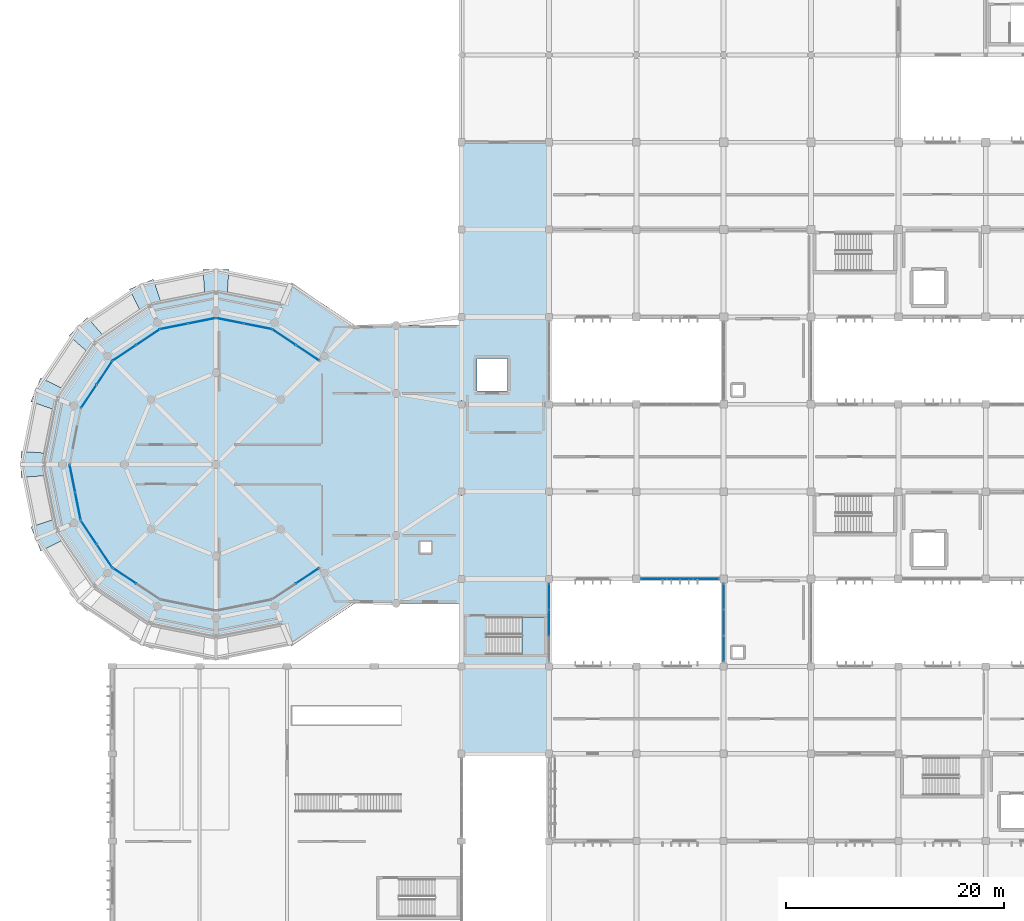
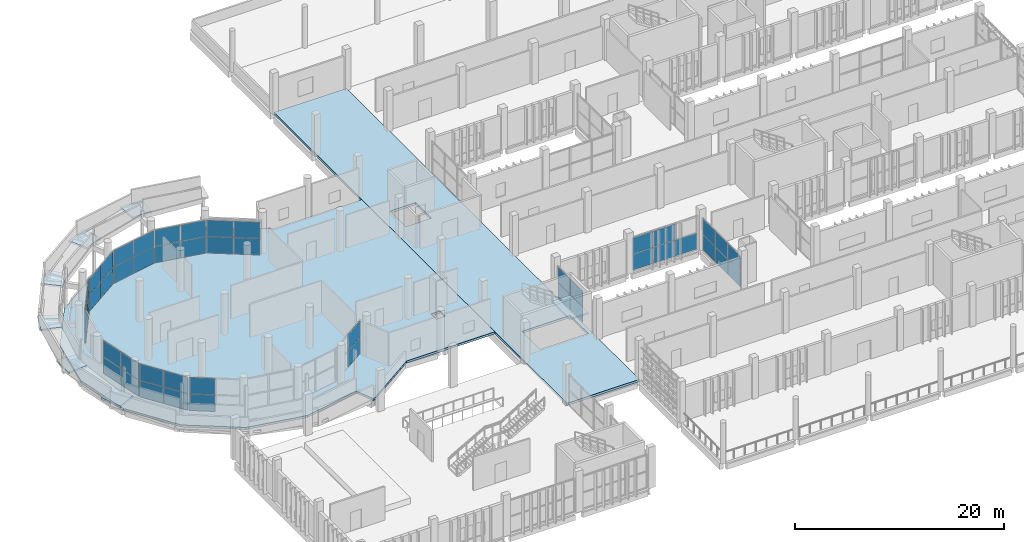
# One storey, part 70 of 106: 47 plates, 9 slabs, 14 elements without a shape of their own.
"""IFC4 building model written with IfcOpenShell, lengths in metres."""

from ifc_helpers import new_model, si_unit, direction, frame, origin, origin_2d, place, context, subcontext, project, spatial, polyline, rectangle, outline, extrude, material, layer, layer_set, type_object, element, aggregate, save


model = new_model("IFC4")

# Units and contexts
model_context = context("Model", 3, precision=1e-05, world=origin(), true_north=direction((0.0, 1.0)))
body_context = subcontext(model_context, "Body", "Model", "MODEL_VIEW")
ifc_project = project(units=[si_unit("LENGTHUNIT", "METRE"), si_unit("AREAUNIT", "SQUARE_METRE"), si_unit("VOLUMEUNIT", "CUBIC_METRE"), si_unit("PLANEANGLEUNIT", "RADIAN"), si_unit("MASSUNIT", "GRAM", prefix="KILO")], contexts=[model_context])

# Site, building, storey
site_placement = place(None, origin())
site = spatial("IfcSite", under=ifc_project, at=site_placement, CompositionType="ELEMENT")
building_placement = place(site_placement, origin())
building = spatial("IfcBuilding", under=site, at=building_placement, Name="Jelvoka-Kovrelna Polytechnic", CompositionType="ELEMENT")
storey_placement = place(building_placement, frame((0.0, 0.0, 4.800048828125)))
storey = spatial("IfcBuildingStorey", under=building, at=storey_placement, Name="L02", CompositionType="ELEMENT", Elevation=4.800048828125)

# Curtain wall, plates
ifc_material_1 = material(Name="Anodised aluminium 6063-T6", Category="aluminium")
ifc_layer_1 = layer(ifc_material_1, 0.159912109375)
ifc_layer_set_1 = layer_set([ifc_layer_1], Name="Anodised aluminium 6063-T6")
curtain_wall_type_1 = type_object("IfcCurtainWallType", Name="CW_Recessed_A", PredefinedType="NOTDEFINED", material=ifc_layer_set_1)
curtain_wall_1_placement = place(storey_placement, origin())
curtain_wall_1 = element("IfcCurtainWall", 1, at=curtain_wall_1_placement, inside=storey, type_object=curtain_wall_type_1, Name="L02 glazed curtain wall 015", PredefinedType="NOTDEFINED")
ifc_material_2 = material(Name="Solar-control double glazing", Category="glass")
ifc_layer_2 = layer(ifc_material_2, 0.028076171875)
ifc_layer_set_2 = layer_set([ifc_layer_2], Name="Solar-control double glazing")
plate_type_1 = type_object("IfcPlateType", Name="Panel_GP-01", PredefinedType="CURTAIN_PANEL", material=ifc_layer_set_2)
plate_1_placement = place(storey_placement, frame((70.385009765625, 32.0, 0.052001953125), z_axis=(0.0, 0.0, 1.0), x_axis=(-1.0, 0.0, 0.0)))
plate_1 = element("IfcPlate", 2, at=plate_1_placement, type_object=plate_type_1, Name="CW-01 panel 1.1", PredefinedType="CURTAIN_PANEL", context=body_context, shape_type="SweptSolid", body=[
    extrude(rectangle(XDim=2.326171875, YDim=0.028076171875, at=origin_2d()), origin(), (0.0, 0.0, 1.0), 1.881103515625),
])
plate_2_placement = place(storey_placement, frame((68.0, 32.0, 0.052001953125), z_axis=(0.0, 0.0, 1.0), x_axis=(-1.0, 0.0, 0.0)))
plate_2 = element("IfcPlate", 3, at=plate_2_placement, type_object=plate_type_1, Name="CW-01 panel 2.1", PredefinedType="CURTAIN_PANEL", context=body_context, shape_type="SweptSolid", body=[
    extrude(rectangle(XDim=2.356201171875, YDim=0.028076171875, at=origin_2d()), origin(), (0.0, 0.0, 1.0), 1.881103515625),
])
plate_3_placement = place(storey_placement, frame((68.0, 32.0, 1.976806640625), z_axis=(0.0, 0.0, 1.0), x_axis=(-1.0, 0.0, 0.0)))
plate_3 = element("IfcPlate", 4, at=plate_3_placement, type_object=plate_type_1, Name="CW-01 panel 2.2", PredefinedType="CURTAIN_PANEL", context=body_context, shape_type="SweptSolid", body=[
    extrude(rectangle(XDim=2.356201171875, YDim=0.028076171875, at=origin_2d()), origin(), (0.0, 0.0, 1.0), 1.881103515625),
])
plate_4_placement = place(storey_placement, frame((65.614990234375, 32.0, 0.052001953125), z_axis=(0.0, 0.0, 1.0), x_axis=(-1.0, 0.0, 0.0)))
plate_4 = element("IfcPlate", 5, at=plate_4_placement, type_object=plate_type_1, Name="CW-01 panel 3.1", PredefinedType="CURTAIN_PANEL", context=body_context, shape_type="SweptSolid", body=[
    extrude(rectangle(XDim=2.326171875, YDim=0.028076171875, at=origin_2d()), origin(), (0.0, 0.0, 1.0), 1.881103515625),
])
plate_5_placement = place(storey_placement, frame((65.614990234375, 32.0, 1.976806640625), z_axis=(0.0, 0.0, 1.0), x_axis=(-1.0, 0.0, 0.0)))
plate_5 = element("IfcPlate", 6, at=plate_5_placement, type_object=plate_type_1, Name="CW-01 panel 3.2", PredefinedType="CURTAIN_PANEL", context=body_context, shape_type="SweptSolid", body=[
    extrude(rectangle(XDim=2.326171875, YDim=0.028076171875, at=origin_2d()), origin(), (0.0, 0.0, 1.0), 1.881103515625),
])
aggregate(curtain_wall_1, [plate_1, plate_2, plate_3, plate_4, plate_5])

ifc_material_3 = material(Name="Anodised aluminium 6063-T6", Category="aluminium")
ifc_layer_3 = layer(ifc_material_3, 0.159912109375)
ifc_layer_set_3 = layer_set([ifc_layer_3], Name="Anodised aluminium 6063-T6")
curtain_wall_type_2 = type_object("IfcCurtainWallType", Name="CW_LinkBridge", PredefinedType="NOTDEFINED", material=ifc_layer_set_3)
curtain_wall_2_placement = place(storey_placement, origin())
curtain_wall_2 = element("IfcCurtainWall", 7, at=curtain_wall_2_placement, inside=storey, type_object=curtain_wall_type_2, Name="L02 glazed curtain wall 114", PredefinedType="NOTDEFINED")
ifc_material_4 = material(Name="Solar-control double glazing", Category="glass")
ifc_layer_4 = layer(ifc_material_4, 0.02392578125)
ifc_layer_set_4 = layer_set([ifc_layer_4], Name="Solar-control double glazing")
plate_type_2 = type_object("IfcPlateType", Name="Panel_GP-04", PredefinedType="CURTAIN_PANEL", material=ifc_layer_set_4)
plate_6_placement = place(storey_placement, frame((72.0, 25.614990234375, 0.0517578125), z_axis=(0.0, 0.0, 1.0), x_axis=(0.0, 1.0, 0.0)))
plate_6 = element("IfcPlate", 8, at=plate_6_placement, type_object=plate_type_2, Name="CW-04 panel 1.1", PredefinedType="CURTAIN_PANEL", context=body_context, shape_type="SweptSolid", body=[
    extrude(rectangle(XDim=2.326171875, YDim=0.02392578125, at=origin_2d()), origin(), (0.0, 0.0, 1.0), 1.80615234375),
])
plate_7_placement = place(storey_placement, frame((72.0, 25.614990234375, 1.90185546875), z_axis=(0.0, 0.0, 1.0), x_axis=(0.0, 1.0, 0.0)))
plate_7 = element("IfcPlate", 9, at=plate_7_placement, type_object=plate_type_2, Name="CW-04 panel 1.2", PredefinedType="CURTAIN_PANEL", context=body_context, shape_type="SweptSolid", body=[
    extrude(rectangle(XDim=2.326171875, YDim=0.02392578125, at=origin_2d()), origin(), (0.0, 0.0, 1.0), 1.80615234375),
])
plate_8_placement = place(storey_placement, frame((72.0, 28.0, 0.0517578125), z_axis=(0.0, 0.0, 1.0), x_axis=(0.0, 1.0, 0.0)))
plate_8 = element("IfcPlate", 10, at=plate_8_placement, type_object=plate_type_2, Name="CW-04 panel 2.1", PredefinedType="CURTAIN_PANEL", context=body_context, shape_type="SweptSolid", body=[
    extrude(rectangle(XDim=2.356201171875, YDim=0.02392578125, at=origin_2d()), origin(), (0.0, 0.0, 1.0), 1.80615234375),
])
plate_9_placement = place(storey_placement, frame((72.0, 28.0, 1.90185546875), z_axis=(0.0, 0.0, 1.0), x_axis=(0.0, 1.0, 0.0)))
plate_9 = element("IfcPlate", 11, at=plate_9_placement, type_object=plate_type_2, Name="CW-04 panel 2.2", PredefinedType="CURTAIN_PANEL", context=body_context, shape_type="SweptSolid", body=[
    extrude(rectangle(XDim=2.356201171875, YDim=0.02392578125, at=origin_2d()), origin(), (0.0, 0.0, 1.0), 1.80615234375),
])
plate_10_placement = place(storey_placement, frame((72.0, 30.385009765625, 0.0517578125), z_axis=(0.0, 0.0, 1.0), x_axis=(0.0, 1.0, 0.0)))
plate_10 = element("IfcPlate", 12, at=plate_10_placement, type_object=plate_type_2, Name="CW-04 panel 3.1", PredefinedType="CURTAIN_PANEL", context=body_context, shape_type="SweptSolid", body=[
    extrude(rectangle(XDim=2.326171875, YDim=0.02392578125, at=origin_2d()), origin(), (0.0, 0.0, 1.0), 1.80615234375),
])
plate_11_placement = place(storey_placement, frame((72.0, 30.385009765625, 1.90185546875), z_axis=(0.0, 0.0, 1.0), x_axis=(0.0, 1.0, 0.0)))
plate_11 = element("IfcPlate", 13, at=plate_11_placement, type_object=plate_type_2, Name="CW-04 panel 3.2", PredefinedType="CURTAIN_PANEL", context=body_context, shape_type="SweptSolid", body=[
    extrude(rectangle(XDim=2.326171875, YDim=0.02392578125, at=origin_2d()), origin(), (0.0, 0.0, 1.0), 1.80615234375),
])
aggregate(curtain_wall_2, [plate_6, plate_7, plate_8, plate_9, plate_10, plate_11])

ifc_material_5 = material(Name="Anodised aluminium 6063-T6", Category="aluminium")
ifc_layer_5 = layer(ifc_material_5, 0.179931640625)
ifc_layer_set_5 = layer_set([ifc_layer_5], Name="Anodised aluminium 6063-T6")
curtain_wall_type_3 = type_object("IfcCurtainWallType", Name="CW_Pavilion", PredefinedType="NOTDEFINED", material=ifc_layer_set_5)
curtain_wall_3_placement = place(storey_placement, origin())
curtain_wall_3 = element("IfcCurtainWall", 14, at=curtain_wall_3_placement, inside=storey, type_object=curtain_wall_type_3, Name="L02 glazed curtain wall 118", PredefinedType="NOTDEFINED")
ifc_material_6 = material(Name="Solar-control double glazing", Category="glass")
ifc_layer_6 = layer(ifc_material_6, 0.030029296875)
ifc_layer_set_6 = layer_set([ifc_layer_6], Name="Solar-control double glazing")
plate_type_3 = type_object("IfcPlateType", Name="Panel_GP-05", PredefinedType="CURTAIN_PANEL", material=ifc_layer_set_6)
plate_12_placement = place(storey_placement, frame((56.0, 30.3837890625, 0.056884765625), z_axis=(0.0, 0.0, 1.0), x_axis=(0.0, -1.0, 0.0)))
plate_12 = element("IfcPlate", 15, at=plate_12_placement, type_object=plate_type_3, Name="CW-05 panel 1.1", PredefinedType="CURTAIN_PANEL", context=body_context, shape_type="SweptSolid", body=[
    extrude(rectangle(XDim=2.318603515625, YDim=0.030029296875, at=origin_2d()), origin(), (0.0, 0.0, 1.0), 1.798583984375),
])
plate_13_placement = place(storey_placement, frame((56.0, 30.3837890625, 1.904541015625), z_axis=(0.0, 0.0, 1.0), x_axis=(0.0, -1.0, 0.0)))
plate_13 = element("IfcPlate", 16, at=plate_13_placement, type_object=plate_type_3, Name="CW-05 panel 1.2", PredefinedType="CURTAIN_PANEL", context=body_context, shape_type="SweptSolid", body=[
    extrude(rectangle(XDim=2.318603515625, YDim=0.030029296875, at=origin_2d()), origin(), (0.0, 0.0, 1.0), 1.798583984375),
])
plate_14_placement = place(storey_placement, frame((56.0, 28.0, 0.056884765625), z_axis=(0.0, 0.0, 1.0), x_axis=(0.0, -1.0, 0.0)))
plate_14 = element("IfcPlate", 17, at=plate_14_placement, type_object=plate_type_3, Name="CW-05 panel 2.1", PredefinedType="CURTAIN_PANEL", context=body_context, shape_type="SweptSolid", body=[
    extrude(rectangle(XDim=2.35107421875, YDim=0.030029296875, at=origin_2d()), origin(), (0.0, 0.0, 1.0), 1.798583984375),
])
plate_15_placement = place(storey_placement, frame((56.0, 28.0, 1.904541015625), z_axis=(0.0, 0.0, 1.0), x_axis=(0.0, -1.0, 0.0)))
plate_15 = element("IfcPlate", 18, at=plate_15_placement, type_object=plate_type_3, Name="CW-05 panel 2.2", PredefinedType="CURTAIN_PANEL", context=body_context, shape_type="SweptSolid", body=[
    extrude(rectangle(XDim=2.35107421875, YDim=0.030029296875, at=origin_2d()), origin(), (0.0, 0.0, 1.0), 1.798583984375),
])
aggregate(curtain_wall_3, [plate_12, plate_13, plate_14, plate_15])

curtain_wall_4_placement = place(storey_placement, origin())
curtain_wall_4 = element("IfcCurtainWall", 19, at=curtain_wall_4_placement, inside=storey, type_object=curtain_wall_type_3, Name="L02 glazed curtain wall 222", PredefinedType="NOTDEFINED")
plate_16_placement = place(storey_placement, frame((31.728271484375, 54.144775390625, 0.056884765625), z_axis=(0.0, 0.0, 1.0), x_axis=(0.83146132254, -0.555582639326, 0.0)))
plate_16 = element("IfcPlate", 20, at=plate_16_placement, type_object=plate_type_3, Name="CW-05 panel 1.1", PredefinedType="CURTAIN_PANEL", context=body_context, shape_type="SweptSolid", body=[
    extrude(rectangle(XDim=2.53271484375, YDim=0.030029296875, at=origin_2d()), origin(), (0.0, 0.0, 1.0), 1.8935546875),
])
plate_17_placement = place(storey_placement, frame((31.728271484375, 54.144775390625, 1.99951171875), z_axis=(0.0, 0.0, 1.0), x_axis=(0.83146132254, -0.555582639326, 0.0)))
plate_17 = element("IfcPlate", 21, at=plate_17_placement, type_object=plate_type_3, Name="CW-05 panel 1.2", PredefinedType="CURTAIN_PANEL", context=body_context, shape_type="SweptSolid", body=[
    extrude(rectangle(XDim=2.53271484375, YDim=0.030029296875, at=origin_2d()), origin(), (0.0, 0.0, 1.0), 1.8935546875),
])
plate_18_placement = place(storey_placement, frame((33.875, 52.71044921875, 0.056884765625), z_axis=(0.0, 0.0, 1.0), x_axis=(0.83146132254, -0.555582639326, 0.0)))
plate_18 = element("IfcPlate", 22, at=plate_18_placement, type_object=plate_type_3, Name="CW-05 panel 2.1", PredefinedType="CURTAIN_PANEL", context=body_context, shape_type="SweptSolid", body=[
    extrude(rectangle(XDim=2.53271484375, YDim=0.030029296875, at=origin_2d()), origin(), (0.0, 0.0, 1.0), 1.8935546875),
])
plate_19_placement = place(storey_placement, frame((33.875, 52.71044921875, 1.99951171875), z_axis=(0.0, 0.0, 1.0), x_axis=(0.83146132254, -0.555582639326, 0.0)))
plate_19 = element("IfcPlate", 23, at=plate_19_placement, type_object=plate_type_3, Name="CW-05 panel 2.2", PredefinedType="CURTAIN_PANEL", context=body_context, shape_type="SweptSolid", body=[
    extrude(rectangle(XDim=2.53271484375, YDim=0.030029296875, at=origin_2d()), origin(), (0.0, 0.0, 1.0), 1.8935546875),
])
aggregate(curtain_wall_4, [plate_16, plate_17, plate_18, plate_19])

curtain_wall_5_placement = place(storey_placement, origin())
curtain_wall_5 = element("IfcCurtainWall", 24, at=curtain_wall_5_placement, inside=storey, type_object=curtain_wall_type_3, Name="L02 glazed curtain wall 223", PredefinedType="NOTDEFINED")
plate_20_placement = place(storey_placement, frame((26.7978515625, 55.641845703125, 0.056884765625), z_axis=(0.0, 0.0, 1.0), x_axis=(0.980786108197, -0.195086160371, 0.0)))
plate_20 = element("IfcPlate", 25, at=plate_20_placement, type_object=plate_type_3, Name="CW-05 panel 1.1", PredefinedType="CURTAIN_PANEL", context=body_context, shape_type="SweptSolid", body=[
    extrude(rectangle(XDim=2.532958984375, YDim=0.030029296875, at=origin_2d()), origin(), (0.0, 0.0, 1.0), 1.8935546875),
])
plate_21_placement = place(storey_placement, frame((26.7978515625, 55.641845703125, 1.99951171875), z_axis=(0.0, 0.0, 1.0), x_axis=(0.980786108197, -0.195086160371, 0.0)))
plate_21 = element("IfcPlate", 26, at=plate_21_placement, type_object=plate_type_3, Name="CW-05 panel 1.2", PredefinedType="CURTAIN_PANEL", context=body_context, shape_type="SweptSolid", body=[
    extrude(rectangle(XDim=2.532958984375, YDim=0.030029296875, at=origin_2d()), origin(), (0.0, 0.0, 1.0), 1.8935546875),
])
plate_22_placement = place(storey_placement, frame((29.330078125, 55.13818359375, 0.056884765625), z_axis=(0.0, 0.0, 1.0), x_axis=(0.980786108197, -0.195086160371, 0.0)))
plate_22 = element("IfcPlate", 27, at=plate_22_placement, type_object=plate_type_3, Name="CW-05 panel 2.1", PredefinedType="CURTAIN_PANEL", context=body_context, shape_type="SweptSolid", body=[
    extrude(rectangle(XDim=2.532958984375, YDim=0.030029296875, at=origin_2d()), origin(), (0.0, 0.0, 1.0), 1.8935546875),
])
plate_23_placement = place(storey_placement, frame((29.330078125, 55.13818359375, 1.99951171875), z_axis=(0.0, 0.0, 1.0), x_axis=(0.980786108197, -0.195086160371, 0.0)))
plate_23 = element("IfcPlate", 28, at=plate_23_placement, type_object=plate_type_3, Name="CW-05 panel 2.2", PredefinedType="CURTAIN_PANEL", context=body_context, shape_type="SweptSolid", body=[
    extrude(rectangle(XDim=2.532958984375, YDim=0.030029296875, at=origin_2d()), origin(), (0.0, 0.0, 1.0), 1.8935546875),
])
aggregate(curtain_wall_5, [plate_20, plate_21, plate_22, plate_23])

curtain_wall_6_placement = place(storey_placement, origin())
curtain_wall_6 = element("IfcCurtainWall", 29, at=curtain_wall_6_placement, inside=storey, type_object=curtain_wall_type_3, Name="L02 glazed curtain wall 224", PredefinedType="NOTDEFINED")
plate_24_placement = place(storey_placement, frame((21.669921875, 55.13818359375, 0.056884765625), z_axis=(0.0, 0.0, 1.0), x_axis=(0.980786108197, 0.195086160371, 0.0)))
plate_24 = element("IfcPlate", 30, at=plate_24_placement, type_object=plate_type_3, Name="CW-05 panel 1.1", PredefinedType="CURTAIN_PANEL", context=body_context, shape_type="SweptSolid", body=[
    extrude(rectangle(XDim=2.532958984375, YDim=0.030029296875, at=origin_2d()), origin(), (0.0, 0.0, 1.0), 1.8935546875),
])
plate_25_placement = place(storey_placement, frame((21.669921875, 55.13818359375, 1.99951171875), z_axis=(0.0, 0.0, 1.0), x_axis=(0.980786108197, 0.195086160371, 0.0)))
plate_25 = element("IfcPlate", 31, at=plate_25_placement, type_object=plate_type_3, Name="CW-05 panel 1.2", PredefinedType="CURTAIN_PANEL", context=body_context, shape_type="SweptSolid", body=[
    extrude(rectangle(XDim=2.532958984375, YDim=0.030029296875, at=origin_2d()), origin(), (0.0, 0.0, 1.0), 1.8935546875),
])
plate_26_placement = place(storey_placement, frame((24.2021484375, 55.641845703125, 0.056884765625), z_axis=(0.0, 0.0, 1.0), x_axis=(0.980786108197, 0.195086160371, 0.0)))
plate_26 = element("IfcPlate", 32, at=plate_26_placement, type_object=plate_type_3, Name="CW-05 panel 2.1", PredefinedType="CURTAIN_PANEL", context=body_context, shape_type="SweptSolid", body=[
    extrude(rectangle(XDim=2.532958984375, YDim=0.030029296875, at=origin_2d()), origin(), (0.0, 0.0, 1.0), 1.8935546875),
])
plate_27_placement = place(storey_placement, frame((24.2021484375, 55.641845703125, 1.99951171875), z_axis=(0.0, 0.0, 1.0), x_axis=(0.980786108197, 0.195086160371, 0.0)))
plate_27 = element("IfcPlate", 33, at=plate_27_placement, type_object=plate_type_3, Name="CW-05 panel 2.2", PredefinedType="CURTAIN_PANEL", context=body_context, shape_type="SweptSolid", body=[
    extrude(rectangle(XDim=2.532958984375, YDim=0.030029296875, at=origin_2d()), origin(), (0.0, 0.0, 1.0), 1.8935546875),
])
aggregate(curtain_wall_6, [plate_24, plate_25, plate_26, plate_27])

curtain_wall_7_placement = place(storey_placement, origin())
curtain_wall_7 = element("IfcCurtainWall", 34, at=curtain_wall_7_placement, inside=storey, type_object=curtain_wall_type_3, Name="L02 glazed curtain wall 225", PredefinedType="NOTDEFINED")
plate_28_placement = place(storey_placement, frame((17.125, 52.71044921875, 0.056884765625), z_axis=(0.0, 0.0, 1.0), x_axis=(0.83146132254, 0.555582639326, 0.0)))
plate_28 = element("IfcPlate", 35, at=plate_28_placement, type_object=plate_type_3, Name="CW-05 panel 1.1", PredefinedType="CURTAIN_PANEL", context=body_context, shape_type="SweptSolid", body=[
    extrude(rectangle(XDim=2.53271484375, YDim=0.030029296875, at=origin_2d()), origin(), (0.0, 0.0, 1.0), 1.8935546875),
])
plate_29_placement = place(storey_placement, frame((17.125, 52.71044921875, 1.99951171875), z_axis=(0.0, 0.0, 1.0), x_axis=(0.83146132254, 0.555582639326, 0.0)))
plate_29 = element("IfcPlate", 36, at=plate_29_placement, type_object=plate_type_3, Name="CW-05 panel 1.2", PredefinedType="CURTAIN_PANEL", context=body_context, shape_type="SweptSolid", body=[
    extrude(rectangle(XDim=2.53271484375, YDim=0.030029296875, at=origin_2d()), origin(), (0.0, 0.0, 1.0), 1.8935546875),
])
plate_30_placement = place(storey_placement, frame((19.271728515625, 54.144775390625, 0.056884765625), z_axis=(0.0, 0.0, 1.0), x_axis=(0.83146132254, 0.555582639326, 0.0)))
plate_30 = element("IfcPlate", 37, at=plate_30_placement, type_object=plate_type_3, Name="CW-05 panel 2.1", PredefinedType="CURTAIN_PANEL", context=body_context, shape_type="SweptSolid", body=[
    extrude(rectangle(XDim=2.53271484375, YDim=0.030029296875, at=origin_2d()), origin(), (0.0, 0.0, 1.0), 1.8935546875),
])
plate_31_placement = place(storey_placement, frame((19.271728515625, 54.144775390625, 1.99951171875), z_axis=(0.0, 0.0, 1.0), x_axis=(0.83146132254, 0.555582639326, 0.0)))
plate_31 = element("IfcPlate", 38, at=plate_31_placement, type_object=plate_type_3, Name="CW-05 panel 2.2", PredefinedType="CURTAIN_PANEL", context=body_context, shape_type="SweptSolid", body=[
    extrude(rectangle(XDim=2.53271484375, YDim=0.030029296875, at=origin_2d()), origin(), (0.0, 0.0, 1.0), 1.8935546875),
])
aggregate(curtain_wall_7, [plate_28, plate_29, plate_30, plate_31])

curtain_wall_8_placement = place(storey_placement, origin())
curtain_wall_8 = element("IfcCurtainWall", 39, at=curtain_wall_8_placement, inside=storey, type_object=curtain_wall_type_3, Name="L02 glazed curtain wall 226", PredefinedType="NOTDEFINED")
plate_32_placement = place(storey_placement, frame((13.855224609375, 48.728271484375, 0.056884765625), z_axis=(0.0, 0.0, 1.0), x_axis=(0.555582639326, 0.83146132254, 0.0)))
plate_32 = element("IfcPlate", 40, at=plate_32_placement, type_object=plate_type_3, Name="CW-05 panel 1.1", PredefinedType="CURTAIN_PANEL", context=body_context, shape_type="SweptSolid", body=[
    extrude(rectangle(XDim=2.53271484375, YDim=0.030029296875, at=origin_2d()), origin(), (0.0, 0.0, 1.0), 1.8935546875),
])
plate_33_placement = place(storey_placement, frame((13.855224609375, 48.728271484375, 1.99951171875), z_axis=(0.0, 0.0, 1.0), x_axis=(0.555582639326, 0.83146132254, 0.0)))
plate_33 = element("IfcPlate", 41, at=plate_33_placement, type_object=plate_type_3, Name="CW-05 panel 1.2", PredefinedType="CURTAIN_PANEL", context=body_context, shape_type="SweptSolid", body=[
    extrude(rectangle(XDim=2.53271484375, YDim=0.030029296875, at=origin_2d()), origin(), (0.0, 0.0, 1.0), 1.8935546875),
])
plate_34_placement = place(storey_placement, frame((15.28955078125, 50.875, 0.056884765625), z_axis=(0.0, 0.0, 1.0), x_axis=(0.555582639326, 0.83146132254, 0.0)))
plate_34 = element("IfcPlate", 42, at=plate_34_placement, type_object=plate_type_3, Name="CW-05 panel 2.1", PredefinedType="CURTAIN_PANEL", context=body_context, shape_type="SweptSolid", body=[
    extrude(rectangle(XDim=2.53271484375, YDim=0.030029296875, at=origin_2d()), origin(), (0.0, 0.0, 1.0), 1.8935546875),
])
plate_35_placement = place(storey_placement, frame((15.28955078125, 50.875, 1.99951171875), z_axis=(0.0, 0.0, 1.0), x_axis=(0.555582639326, 0.83146132254, 0.0)))
plate_35 = element("IfcPlate", 43, at=plate_35_placement, type_object=plate_type_3, Name="CW-05 panel 2.2", PredefinedType="CURTAIN_PANEL", context=body_context, shape_type="SweptSolid", body=[
    extrude(rectangle(XDim=2.53271484375, YDim=0.030029296875, at=origin_2d()), origin(), (0.0, 0.0, 1.0), 1.8935546875),
])
aggregate(curtain_wall_8, [plate_32, plate_33, plate_34, plate_35])

curtain_wall_9_placement = place(storey_placement, origin())
curtain_wall_9 = element("IfcCurtainWall", 44, at=curtain_wall_9_placement, inside=storey, type_object=curtain_wall_type_3, Name="L02 glazed curtain wall 227", PredefinedType="NOTDEFINED")
plate_36_placement = place(storey_placement, frame((12.86181640625, 38.669921875, 0.056884765625), z_axis=(0.0, 0.0, 1.0), x_axis=(-0.195086160371, 0.980786108197, 0.0)))
plate_36 = element("IfcPlate", 45, at=plate_36_placement, type_object=plate_type_3, Name="CW-05 panel 1.1", PredefinedType="CURTAIN_PANEL", context=body_context, shape_type="SweptSolid", body=[
    extrude(rectangle(XDim=2.532958984375, YDim=0.030029296875, at=origin_2d()), origin(), (0.0, 0.0, 1.0), 1.8935546875),
])
plate_37_placement = place(storey_placement, frame((12.86181640625, 38.669921875, 1.99951171875), z_axis=(0.0, 0.0, 1.0), x_axis=(-0.195086160371, 0.980786108197, 0.0)))
plate_37 = element("IfcPlate", 46, at=plate_37_placement, type_object=plate_type_3, Name="CW-05 panel 1.2", PredefinedType="CURTAIN_PANEL", context=body_context, shape_type="SweptSolid", body=[
    extrude(rectangle(XDim=2.532958984375, YDim=0.030029296875, at=origin_2d()), origin(), (0.0, 0.0, 1.0), 1.8935546875),
])
plate_38_placement = place(storey_placement, frame((12.358154296875, 41.2021484375, 0.056884765625), z_axis=(0.0, 0.0, 1.0), x_axis=(-0.195086160371, 0.980786108197, 0.0)))
plate_38 = element("IfcPlate", 47, at=plate_38_placement, type_object=plate_type_3, Name="CW-05 panel 2.1", PredefinedType="CURTAIN_PANEL", context=body_context, shape_type="SweptSolid", body=[
    extrude(rectangle(XDim=2.532958984375, YDim=0.030029296875, at=origin_2d()), origin(), (0.0, 0.0, 1.0), 1.8935546875),
])
plate_39_placement = place(storey_placement, frame((12.358154296875, 41.2021484375, 1.99951171875), z_axis=(0.0, 0.0, 1.0), x_axis=(-0.195086160371, 0.980786108197, 0.0)))
plate_39 = element("IfcPlate", 48, at=plate_39_placement, type_object=plate_type_3, Name="CW-05 panel 2.2", PredefinedType="CURTAIN_PANEL", context=body_context, shape_type="SweptSolid", body=[
    extrude(rectangle(XDim=2.532958984375, YDim=0.030029296875, at=origin_2d()), origin(), (0.0, 0.0, 1.0), 1.8935546875),
])
aggregate(curtain_wall_9, [plate_36, plate_37, plate_38, plate_39])

curtain_wall_10_placement = place(storey_placement, origin())
curtain_wall_10 = element("IfcCurtainWall", 49, at=curtain_wall_10_placement, inside=storey, type_object=curtain_wall_type_3, Name="L02 glazed curtain wall 228", PredefinedType="NOTDEFINED")
plate_40_placement = place(storey_placement, frame((15.28955078125, 34.125, 0.056884765625), z_axis=(0.0, 0.0, 1.0), x_axis=(-0.555582639326, 0.83146132254, 0.0)))
plate_40 = element("IfcPlate", 50, at=plate_40_placement, type_object=plate_type_3, Name="CW-05 panel 1.1", PredefinedType="CURTAIN_PANEL", context=body_context, shape_type="SweptSolid", body=[
    extrude(rectangle(XDim=2.53271484375, YDim=0.030029296875, at=origin_2d()), origin(), (0.0, 0.0, 1.0), 1.8935546875),
])
plate_41_placement = place(storey_placement, frame((15.28955078125, 34.125, 1.99951171875), z_axis=(0.0, 0.0, 1.0), x_axis=(-0.555582639326, 0.83146132254, 0.0)))
plate_41 = element("IfcPlate", 51, at=plate_41_placement, type_object=plate_type_3, Name="CW-05 panel 1.2", PredefinedType="CURTAIN_PANEL", context=body_context, shape_type="SweptSolid", body=[
    extrude(rectangle(XDim=2.53271484375, YDim=0.030029296875, at=origin_2d()), origin(), (0.0, 0.0, 1.0), 1.8935546875),
])
plate_42_placement = place(storey_placement, frame((13.855224609375, 36.271728515625, 0.056884765625), z_axis=(0.0, 0.0, 1.0), x_axis=(-0.555582639326, 0.83146132254, 0.0)))
plate_42 = element("IfcPlate", 52, at=plate_42_placement, type_object=plate_type_3, Name="CW-05 panel 2.1", PredefinedType="CURTAIN_PANEL", context=body_context, shape_type="SweptSolid", body=[
    extrude(rectangle(XDim=2.53271484375, YDim=0.030029296875, at=origin_2d()), origin(), (0.0, 0.0, 1.0), 1.8935546875),
])
plate_43_placement = place(storey_placement, frame((13.855224609375, 36.271728515625, 1.99951171875), z_axis=(0.0, 0.0, 1.0), x_axis=(-0.555582639326, 0.83146132254, 0.0)))
plate_43 = element("IfcPlate", 53, at=plate_43_placement, type_object=plate_type_3, Name="CW-05 panel 2.2", PredefinedType="CURTAIN_PANEL", context=body_context, shape_type="SweptSolid", body=[
    extrude(rectangle(XDim=2.53271484375, YDim=0.030029296875, at=origin_2d()), origin(), (0.0, 0.0, 1.0), 1.8935546875),
])
aggregate(curtain_wall_10, [plate_40, plate_41, plate_42, plate_43])

curtain_wall_11_placement = place(storey_placement, origin())
curtain_wall_11 = element("IfcCurtainWall", 54, at=curtain_wall_11_placement, inside=storey, type_object=curtain_wall_type_3, Name="L02 glazed curtain wall 229", PredefinedType="NOTDEFINED")
plate_44_placement = place(storey_placement, frame((17.125, 32.28955078125, 0.056884765625), z_axis=(0.0, 0.0, 1.0), x_axis=(-0.83146132254, 0.555582639326, 0.0)))
plate_44 = element("IfcPlate", 55, at=plate_44_placement, type_object=plate_type_3, Name="CW-05 panel 2.1", PredefinedType="CURTAIN_PANEL", context=body_context, shape_type="SweptSolid", body=[
    extrude(rectangle(XDim=2.53271484375, YDim=0.030029296875, at=origin_2d()), origin(), (0.0, 0.0, 1.0), 1.8935546875),
])
plate_45_placement = place(storey_placement, frame((17.125, 32.28955078125, 1.99951171875), z_axis=(0.0, 0.0, 1.0), x_axis=(-0.83146132254, 0.555582639326, 0.0)))
plate_45 = element("IfcPlate", 56, at=plate_45_placement, type_object=plate_type_3, Name="CW-05 panel 2.2", PredefinedType="CURTAIN_PANEL", context=body_context, shape_type="SweptSolid", body=[
    extrude(rectangle(XDim=2.53271484375, YDim=0.030029296875, at=origin_2d()), origin(), (0.0, 0.0, 1.0), 1.8935546875),
])
aggregate(curtain_wall_11, [plate_44, plate_45])

curtain_wall_12_placement = place(storey_placement, origin())
curtain_wall_12 = element("IfcCurtainWall", 57, at=curtain_wall_12_placement, inside=storey, type_object=curtain_wall_type_3, Name="L02 glazed curtain wall 232", PredefinedType="NOTDEFINED")
plate_46_placement = place(storey_placement, frame((33.875, 32.28955078125, 0.056884765625), z_axis=(0.0, 0.0, 1.0), x_axis=(-0.83146132254, -0.555582639326, 0.0)))
plate_46 = element("IfcPlate", 58, at=plate_46_placement, type_object=plate_type_3, Name="CW-05 panel 1.1", PredefinedType="CURTAIN_PANEL", context=body_context, shape_type="SweptSolid", body=[
    extrude(rectangle(XDim=2.53271484375, YDim=0.030029296875, at=origin_2d()), origin(), (0.0, 0.0, 1.0), 1.8935546875),
])
plate_47_placement = place(storey_placement, frame((33.875, 32.28955078125, 1.99951171875), z_axis=(0.0, 0.0, 1.0), x_axis=(-0.83146132254, -0.555582639326, 0.0)))
plate_47 = element("IfcPlate", 59, at=plate_47_placement, type_object=plate_type_3, Name="CW-05 panel 1.2", PredefinedType="CURTAIN_PANEL", context=body_context, shape_type="SweptSolid", body=[
    extrude(rectangle(XDim=2.53271484375, YDim=0.030029296875, at=origin_2d()), origin(), (0.0, 0.0, 1.0), 1.8935546875),
])
aggregate(curtain_wall_12, [plate_46, plate_47])

# Slabs
ifc_material_7 = material(Name="Concrete C35/45", Category="concrete")
ifc_layer_7 = layer(ifc_material_7, 0.25)
ifc_layer_set_7 = layer_set([ifc_layer_7], Name="Concrete C35/45")
slab_type_1 = type_object("IfcSlabType", Name="Slab_Floor_250", PredefinedType="FLOOR", material=ifc_layer_set_7)
slab_1_placement = place(storey_placement, frame((0.0, 0.0, -0.25)))
element("IfcSlab", 60, at=slab_1_placement, inside=storey, type_object=slab_type_1, Name="L02 rotunda gallery slab", PredefinedType="FLOOR", context=body_context, shape_type="SweptSolid", body=[
    extrude(outline(polyline([(48.0, 29.772216796875), (48.0, 55.227783203125), (38.227783203125, 55.227783203125), (32.38818359375, 59.1298828125), (31.5654296875, 57.1435546875), (25.5, 58.35009765625), (19.4345703125, 57.1435546875), (14.29248046875, 53.70751953125), (10.8564453125, 48.5654296875), (9.64990234375, 42.5), (10.8564453125, 36.4345703125), (14.29248046875, 31.29248046875), (19.4345703125, 27.8564453125), (25.5, 26.64990234375), (31.5654296875, 27.8564453125), (32.38818359375, 25.8701171875), (38.227783203125, 29.772216796875), (48.0, 29.772216796875)]), holes=[polyline([(44.199951171875, 34.39990234375), (45.199951171875, 34.39990234375), (45.199951171875, 35.39990234375), (44.199951171875, 35.39990234375), (44.199951171875, 34.39990234375)])]), origin(), (0.0, 0.0, 1.0), 0.25),
])
ifc_material_8 = material(Name="Concrete C35/45", Category="concrete")
ifc_layer_8 = layer(ifc_material_8, 0.264892578125)
ifc_layer_set_8 = layer_set([ifc_layer_8], Name="Concrete C35/45")
slab_type_2 = type_object("IfcSlabType", Name="Slab_Floor_265", PredefinedType="FLOOR", material=ifc_layer_set_8)
slab_2_placement = place(storey_placement, frame((0.0, 0.0, -0.26513671875)))
element("IfcSlab", 61, at=slab_2_placement, inside=storey, type_object=slab_type_2, Name="L02 SPINE structural slab", PredefinedType="FLOOR", context=body_context, shape_type="SweptSolid", body=[
    extrude(outline(polyline([(48.0, 16.0), (56.0, 16.0), (56.0, 72.0), (48.0, 72.0), (48.0, 16.0)]), holes=[polyline([(49.39990234375, 49.199951171875), (52.199951171875, 49.199951171875), (52.199951171875, 52.199951171875), (49.39990234375, 52.199951171875), (49.39990234375, 49.199951171875)]), polyline([(50.264892578125, 25.10009765625), (55.60009765625, 25.10009765625), (55.60009765625, 28.5400390625), (50.264892578125, 28.5400390625), (50.264892578125, 25.10009765625)])]), origin(), (0.0, 0.0, 1.0), 0.26513671875),
])

# Ramp, slabs
ifc_material_9 = material(Name="Precast concrete C40/50", Category="concrete")
ramp_type = type_object("IfcRampType", Name="Ramp_Accessible_RC", PredefinedType="SPIRAL_RAMP", material=ifc_material_9)
ramp_placement = place(storey_placement, origin())
ramp = element("IfcRamp", 62, at=ramp_placement, inside=storey, type_object=ramp_type, Name="L02 spiral rotunda accessible ramp", PredefinedType="SPIRAL_RAMP")
ifc_material_10 = material(Name="Precast concrete C40/50", Category="concrete")
ifc_layer_9 = layer(ifc_material_10, 0.219970703125)
ifc_layer_set_9 = layer_set([ifc_layer_9], Name="Precast concrete C40/50")
slab_type_3 = type_object("IfcSlabType", Name="Slab_Ramp_Landing_220", PredefinedType="LANDING", material=ifc_layer_set_9)
slab_3_placement = place(storey_placement, frame((0.0, 0.0, 1.699951171875)))
slab_3 = element("IfcSlab", 63, at=slab_3_placement, type_object=slab_type_3, Name="L02 rotunda curved spiral ramp landing L4", PredefinedType="LANDING", context=body_context, shape_type="SweptSolid", body=[
    extrude(outline(polyline([(10.552978515625, 37.440673828125), (8.544921875, 36.760986328125), (9.452880859375, 34.569091796875), (11.353515625, 35.50830078125), (10.552978515625, 37.440673828125)])), origin(), (0.0, 0.0, 1.0), 0.219970703125),
])
slab_4_placement = place(storey_placement, frame((0.0, 0.0, 2.179931640625)))
slab_4 = element("IfcSlab", 64, at=slab_4_placement, type_object=slab_type_3, Name="L02 rotunda curved spiral ramp landing L5", PredefinedType="LANDING", context=body_context, shape_type="SweptSolid", body=[
    extrude(outline(polyline([(9.754638671875, 43.5458984375), (7.639404296875, 43.686279296875), (7.639404296875, 41.313720703125), (9.754638671875, 41.4541015625), (9.754638671875, 43.5458984375)])), origin(), (0.0, 0.0, 1.0), 0.219970703125),
])
slab_5_placement = place(storey_placement, frame((0.0, 0.0, 2.659912109375)))
slab_5 = element("IfcSlab", 65, at=slab_5_placement, type_object=slab_type_3, Name="L02 rotunda curved spiral ramp landing L6", PredefinedType="LANDING", context=body_context, shape_type="SweptSolid", body=[
    extrude(outline(polyline([(11.353515625, 49.49169921875), (9.452880859375, 50.430908203125), (8.544921875, 48.239013671875), (10.552978515625, 47.559326171875), (11.353515625, 49.49169921875)])), origin(), (0.0, 0.0, 1.0), 0.219970703125),
])
slab_6_placement = place(storey_placement, frame((0.0, 0.0, 3.139892578125)))
slab_6 = element("IfcSlab", 66, at=slab_6_placement, type_object=slab_type_3, Name="L02 rotunda curved spiral ramp landing L7", PredefinedType="LANDING", context=body_context, shape_type="SweptSolid", body=[
    extrude(outline(polyline([(15.10595703125, 54.373046875), (13.70947265625, 55.96826171875), (12.03173828125, 54.29052734375), (13.626953125, 52.89404296875), (15.10595703125, 54.373046875)])), origin(), (0.0, 0.0, 1.0), 0.219970703125),
])
slab_7_placement = place(storey_placement, frame((0.0, 0.0, 3.619873046875)))
slab_7 = element("IfcSlab", 67, at=slab_7_placement, type_object=slab_type_3, Name="L02 rotunda curved spiral ramp landing L8", PredefinedType="LANDING", context=body_context, shape_type="SweptSolid", body=[
    extrude(outline(polyline([(20.440673828125, 57.447021484375), (19.760986328125, 59.455078125), (17.569091796875, 58.547119140625), (18.50830078125, 56.646484375), (20.440673828125, 57.447021484375)])), origin(), (0.0, 0.0, 1.0), 0.219970703125),
])
slab_8_placement = place(storey_placement, frame((0.0, 0.0, 4.099853515625)))
slab_8 = element("IfcSlab", 68, at=slab_8_placement, type_object=slab_type_3, Name="L02 rotunda curved spiral ramp landing L9", PredefinedType="LANDING", context=body_context, shape_type="SweptSolid", body=[
    extrude(outline(polyline([(26.5458984375, 58.245361328125), (26.686279296875, 60.360595703125), (24.313720703125, 60.360595703125), (24.4541015625, 58.245361328125), (26.5458984375, 58.245361328125)])), origin(), (0.0, 0.0, 1.0), 0.22021484375),
])
aggregate(ramp, [slab_3, slab_4, slab_5, slab_6, slab_7, slab_8])

# Stair, slab
ifc_material_11 = material(Name="Concrete C35/45", Category="concrete")
stair_type = type_object("IfcStairType", Name="Stair_Dogleg_1620", PredefinedType="TWO_STRAIGHT_RUN_STAIR", material=ifc_material_11)
stair_placement = place(storey_placement, origin())
stair = element("IfcStair", 69, at=stair_placement, inside=storey, type_object=stair_type, Name="L02 ST03", PredefinedType="TWO_STRAIGHT_RUN_STAIR")
ifc_material_12 = material(Name="Concrete C35/45", Category="concrete")
ifc_layer_10 = layer(ifc_material_12, 0.199951171875)
ifc_layer_set_10 = layer_set([ifc_layer_10], Name="Concrete C35/45")
slab_type_4 = type_object("IfcSlabType", Name="Slab_Stair_Landing_200", PredefinedType="LANDING", material=ifc_layer_set_10)
slab_9_placement = place(storey_placement, frame((0.0, 0.0, 2.199951171875)))
slab_9 = element("IfcSlab", 70, at=slab_9_placement, type_object=slab_type_4, Name="ST03 landing 1", PredefinedType="LANDING", context=body_context, shape_type="SweptSolid", body=[
    extrude(outline(polyline([(53.550048828125, 25.10009765625), (55.60009765625, 25.10009765625), (55.60009765625, 28.5400390625), (53.550048828125, 28.5400390625), (53.550048828125, 25.10009765625)])), origin(), (0.0, 0.0, 1.0), 0.199951171875),
])
aggregate(stair, [slab_9])

save(model, "model.ifc")
